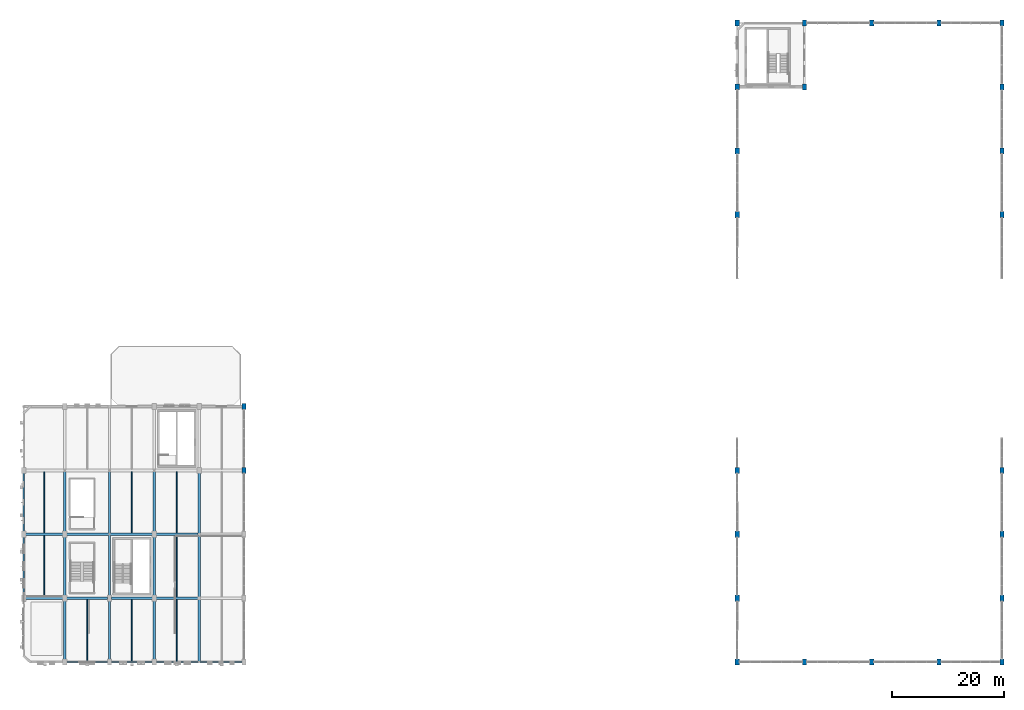
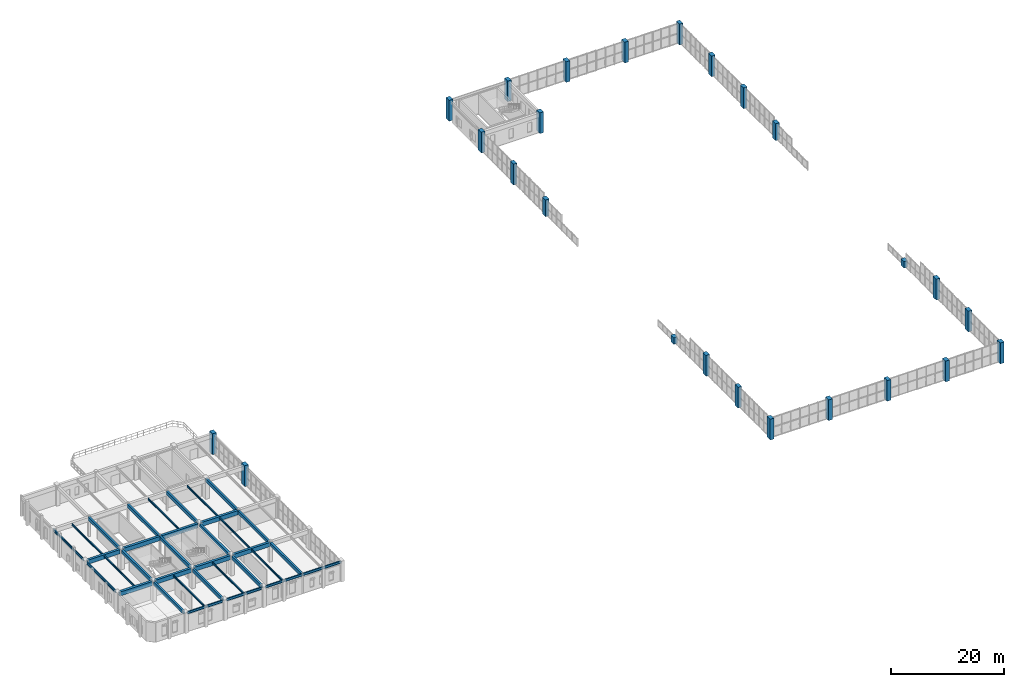
# One storey, part 5 of 48: 34 beams, 25 columns.
"""IFC4 building model written with IfcOpenShell, lengths in metres."""

import ifcopenshell
import ifcopenshell.guid

model = None  # the IFC model being written
_history = None  # IfcOwnerHistory: only IFC2X3 demands one
_inside = {}  # id of a spatial element -> (the spatial element, [elements in it])
_under = {}  # id of a project, library or spatial element -> (it, [spatial elements below it])
_declared = {}  # id of a project -> (the project, [libraries it declares])
_typed = {}  # id of a type object -> (the type object, [elements of that type])
_made_of = {}  # id of a material, layer set ... -> (it, [elements and type objects made of it])


def new_model(schema):
    """Start an empty IFC model of exactly this schema.

    Asked for "IFC4X3", IfcOpenShell would pick the latest addendum, in which some entities
    have other attributes; the version numbers below select the first issue.
    IFC2X3 requires an IfcOwnerHistory on every rooted entity: one is made here for all.
    """
    global model, _history
    if schema == "IFC4X3":
        model = ifcopenshell.file(schema_version=(4, 3, 0, 0))
    else:
        model = ifcopenshell.file(schema=schema)
    _inside.clear()
    _under.clear()
    _declared.clear()
    _typed.clear()
    _made_of.clear()
    _history = None
    if model.schema == "IFC2X3":
        org = make("IfcOrganization", Name="unknown")
        user = make(
            "IfcPersonAndOrganization",
            ThePerson=make("IfcPerson", FamilyName="unknown"),
            TheOrganization=org,
        )
        app = make(
            "IfcApplication",
            ApplicationDeveloper=org,
            Version="unknown",
            ApplicationFullName="unknown",
            ApplicationIdentifier="unknown",
        )
        _history = make(
            "IfcOwnerHistory",
            OwningUser=user,
            OwningApplication=app,
            ChangeAction="ADDED",
            CreationDate=0,
        )
    return model


def make(cls, **values):
    """One entity of the class cls with the attributes given. An attribute that is None is left unset."""
    return model.create_entity(
        cls, **{name: value for name, value in values.items() if value is not None}
    )


def rooted(cls, **values):
    """An entity with a GlobalId (a new one), such as an element, a storey or a relation."""
    return make(cls, GlobalId=ifcopenshell.guid.new(), OwnerHistory=_history, **values)


def si_unit(unit_type, name, prefix=None):
    """IfcSIUnit, for example si_unit("LENGTHUNIT", "METRE", prefix="MILLI")."""
    return make("IfcSIUnit", UnitType=unit_type, Prefix=prefix, Name=name)


def assignment(units):
    """IfcUnitAssignment: the units of a project."""
    return None if units is None else make("IfcUnitAssignment", Units=units)


def point(xyz):
    """IfcCartesianPoint."""
    return None if xyz is None else make("IfcCartesianPoint", Coordinates=xyz)


def direction(xyz):
    """IfcDirection."""
    return None if xyz is None else make("IfcDirection", DirectionRatios=xyz)


def frame(location, z_axis=None, x_axis=None):
    """IfcAxis2Placement3D, a coordinate frame: its origin and axes. An axis left out is left unset."""
    return make(
        "IfcAxis2Placement3D",
        Location=point(location),
        Axis=direction(z_axis),
        RefDirection=direction(x_axis),
    )


def frame_2d(location, x_axis=None):
    """IfcAxis2Placement2D, a coordinate frame in the plane: its origin and x axis."""
    return make(
        "IfcAxis2Placement2D", Location=point(location), RefDirection=direction(x_axis)
    )


def origin():
    """The frame at (0, 0, 0) with its axes left unset."""
    return frame((0.0, 0.0, 0.0))


def origin_2d():
    """The frame at (0, 0) in the plane with its x axis left unset."""
    return frame_2d((0.0, 0.0))


def place(relative_to, where):
    """IfcLocalPlacement: puts the frame where relative to a parent placement (None: the world)."""
    return make(
        "IfcLocalPlacement", PlacementRelTo=relative_to, RelativePlacement=where
    )


def context(
    kind, dimensions, precision=None, world=None, true_north=None, identifier=None
):
    """IfcGeometricRepresentationContext, for example the 3D "Model" context."""
    return make(
        "IfcGeometricRepresentationContext",
        ContextIdentifier=identifier,
        ContextType=kind,
        CoordinateSpaceDimension=dimensions,
        Precision=precision,
        WorldCoordinateSystem=world,
        TrueNorth=true_north,
    )


def subcontext(parent, identifier, kind, view, scale=None):
    """IfcGeometricRepresentationSubContext, for example "Body" below "Model"."""
    return make(
        "IfcGeometricRepresentationSubContext",
        ContextIdentifier=identifier,
        ContextType=kind,
        ParentContext=parent,
        TargetScale=scale,
        TargetView=view,
    )


def project(units=None, contexts=None):
    """IfcProject with its units and contexts."""
    return rooted(
        "IfcProject",
        Name="project",
        RepresentationContexts=contexts,
        UnitsInContext=assignment(units),
    )


def spatial(cls, under=None, at=None, **own):
    """A site, building, storey or space (cls), placed at a placement, below another one or the project."""
    s = rooted(cls, ObjectPlacement=at, **own)
    if under is not None:
        _under.setdefault(under.id(), (under, []))[1].append(s)
    return s


def profile(cls, at=None, kind="AREA", **sizes):
    """A parametric profile (cls). Its sizes go by their IFC names, for example OverallWidth=200.0."""
    return make(cls, ProfileType=kind, Position=at, **sizes)


def rectangle(**sizes):
    """IfcRectangleProfileDef."""
    return profile("IfcRectangleProfileDef", **sizes)


def i_section(**sizes):
    """IfcIShapeProfileDef."""
    return profile("IfcIShapeProfileDef", **sizes)


def extrude(swept, where, along, depth):
    """IfcExtrudedAreaSolid: the profile swept, set in the frame where, extruded along a direction by depth."""
    return make(
        "IfcExtrudedAreaSolid",
        SweptArea=swept,
        Position=where,
        ExtrudedDirection=direction(along),
        Depth=depth,
    )


def shape(context_of_items, identifier, shape_type, items):
    """IfcShapeRepresentation: the items that make up one representation, for example the "Body"."""
    return make(
        "IfcShapeRepresentation",
        ContextOfItems=context_of_items,
        RepresentationIdentifier=identifier,
        RepresentationType=shape_type,
        Items=items,
    )


def material(Name=None, Category=None):
    """IfcMaterial."""
    return make("IfcMaterial", Name=Name, Category=Category)


def material_profile(
    of_material, cross_section, Name=None, Category=None, Priority=None
):
    """IfcMaterialProfile: a cross section and its material."""
    return make(
        "IfcMaterialProfile",
        Name=Name,
        Material=of_material,
        Profile=cross_section,
        Priority=Priority,
        Category=Category,
    )


def profile_set(profiles, Name=None, composite=None):
    """IfcMaterialProfileSet."""
    return make(
        "IfcMaterialProfileSet",
        Name=Name,
        MaterialProfiles=profiles,
        CompositeProfile=composite,
    )


def made_of(thing, what):
    """Note that an element or type object is made of a material, layer set ...; save() writes the relation."""
    if what is not None:
        _made_of.setdefault(what.id(), (what, []))[1].append(thing)
    return thing


def type_object(cls, material=None, **own):
    """A type object (cls), such as IfcWallType, which elements share."""
    return made_of(rooted(cls, **own), material)


def element(
    cls,
    number,
    at=None,
    inside=None,
    cuts=None,
    type_object=None,
    material=None,
    context=None,
    identifier="Body",
    shape_type=None,
    held_by="IfcProductDefinitionShape",
    body=None,
    shapes=None,
    **own,
):
    """One element of the class cls, such as IfcWall. Its Tag is "e" and its number.

    at: its placement. inside: the storey or other place that contains it. cuts: it is an
    opening in that element (IfcRelVoidsElement). A single representation is given by context,
    identifier, shape_type and body (its items); several are given by shapes. held_by: the class
    of the entity that holds the representations. save() writes the other relations.
    """
    e = rooted(cls, Tag="e%d" % number, ObjectPlacement=at, **own)
    if body is not None:
        shapes = [shape(context, identifier, shape_type, body)]
    if shapes is not None:
        e.Representation = make(held_by, Representations=shapes)
    if inside is not None:
        _inside.setdefault(inside.id(), (inside, []))[1].append(e)
    if cuts is not None:
        rooted(
            "IfcRelVoidsElement", RelatingBuildingElement=cuts, RelatedOpeningElement=e
        )
    if type_object is not None:
        _typed.setdefault(type_object.id(), (type_object, []))[1].append(e)
    return made_of(e, material)


def aggregate(whole, parts):
    """IfcRelAggregates: a whole, such as a stair, and the parts it consists of."""
    return rooted("IfcRelAggregates", RelatingObject=whole, RelatedObjects=parts)


def save(model, path):
    """Write the relations noted so far, then the file.

    IfcRelAggregates (storeys below a building ...), IfcRelContainedInSpatialStructure (elements
    in a storey), IfcRelDefinesByType, IfcRelAssociatesMaterial and IfcRelDeclares: one each for
    every whole, place, type object, material and project.
    """
    for whole, parts in _under.values():
        aggregate(whole, parts)
    for where, things in _inside.values():
        rooted(
            "IfcRelContainedInSpatialStructure",
            RelatedElements=things,
            RelatingStructure=where,
        )
    for kind, things in _typed.values():
        rooted("IfcRelDefinesByType", RelatedObjects=things, RelatingType=kind)
    for what, things in _made_of.values():
        rooted("IfcRelAssociatesMaterial", RelatedObjects=things, RelatingMaterial=what)
    for by, libraries in _declared.values():
        rooted("IfcRelDeclares", RelatingContext=by, RelatedDefinitions=libraries)
    model.write(path)


model = new_model("IFC4")

# Units and contexts
model_context = context("Model", 3, precision=1e-05, world=origin(), true_north=direction((0.0, 1.0)))
body_context = subcontext(model_context, "Body", "Model", "MODEL_VIEW")
ifc_project = project(units=[si_unit("LENGTHUNIT", "METRE"), si_unit("AREAUNIT", "SQUARE_METRE"), si_unit("VOLUMEUNIT", "CUBIC_METRE"), si_unit("PLANEANGLEUNIT", "RADIAN"), si_unit("MASSUNIT", "GRAM", prefix="KILO"), si_unit("POWERUNIT", "WATT"), si_unit("THERMODYNAMICTEMPERATUREUNIT", "KELVIN")], contexts=[model_context])

# Site, building, storey
site_placement = place(None, origin())
site = spatial("IfcSite", under=ifc_project, at=site_placement, CompositionType="ELEMENT")
building_placement = place(site_placement, origin())
building = spatial("IfcBuilding", under=site, at=building_placement, Name="Kelmbourne Parkland Aquatics Centre", CompositionType="ELEMENT")
storey_placement = place(building_placement, frame((0.0, 0.0, 14.699951171875)))
storey = spatial("IfcBuildingStorey", under=building, at=storey_placement, Name="L03", CompositionType="ELEMENT", Elevation=14.699951171875)

# Columns
ifc_material_1 = material(Name="Concrete C40/50", Category="concrete")
ifc_material_profile_1 = material_profile(ifc_material_1, rectangle(XDim=0.75, YDim=1.10009765625, at=origin_2d()), Name="RC 750x1100")
ifc_profile_set_1 = profile_set([ifc_material_profile_1], Name="Concrete C40/50")
column_type = type_object("IfcColumnType", Name="COL-C03", PredefinedType="COLUMN", material=ifc_profile_set_1)
for number, where, z_axis, x_axis, name in (
    (1, (40.0, 35.0, 0.0), (0.0, 0.0, 1.0), (1.0, 0.0, 0.0), "Structural column F-05 (L03)"),
    (2, (40.0, 46.39990234375, 0.0), (0.0, 0.0, 1.0), (1.0, 0.0, 0.0), "Structural column F-06 (L03)"),
    (3, (128.0, 0.800048828125, 0.0), (0.0, 0.0, 1.0), (1.0, 0.0, 0.0), "Structural column P-01 (L03)"),
    (4, (128.0, 12.199951171875, 0.0), (0.0, 0.0, 1.0), (1.0, 0.0, 0.0), "Structural column P-03 (L03)"),
    (5, (128.0, 23.60009765625, 0.0), (0.0, 0.0, 1.0), (1.0, 0.0, 0.0), "Structural column P-04 (L03)"),
):
    element("IfcColumn", number, at=place(storey_placement, frame(where, z_axis=z_axis, x_axis=x_axis)), inside=storey, type_object=column_type, Name=name, PredefinedType="COLUMN", context=body_context, shape_type="SweptSolid", body=[
        extrude(rectangle(XDim=0.75, YDim=1.10009765625, at=origin_2d()), origin(), (0.0, 0.0, 1.0), 4.5),
    ])
column_1_placement = place(storey_placement, frame((128.0, 35.0, 0.0), z_axis=(0.0, 0.0, 1.0), x_axis=(1.0, 0.0, 0.0)))
element("IfcColumn", 6, at=column_1_placement, inside=storey, type_object=column_type, Name="Structural column P-05 (L03)", PredefinedType="COLUMN", context=body_context, shape_type="SweptSolid", body=[
    extrude(rectangle(XDim=0.75, YDim=1.10009765625, at=origin_2d()), origin(), (0.0, 0.0, 1.0), 1.4033203125),
])
column_2_placement = place(storey_placement, frame((128.0, 80.60009765625, 0.0), z_axis=(0.0, 0.0, 1.0), x_axis=(1.0, 0.0, 0.0)))
element("IfcColumn", 7, at=column_2_placement, inside=storey, type_object=column_type, Name="Structural column P-11 (L03)", PredefinedType="COLUMN", context=body_context, shape_type="SweptSolid", body=[
    extrude(rectangle(XDim=0.75, YDim=1.10009765625, at=origin_2d()), origin(), (0.0, 0.0, 1.0), 3.6650390625),
])
for number, where, z_axis, x_axis, name in (
    (8, (128.0, 92.0, 0.0), (0.0, 0.0, 1.0), (1.0, 0.0, 0.0), "Structural column P-12 (L03)"),
    (9, (128.0, 103.39990234375, 0.0), (0.0, 0.0, 1.0), (1.0, 0.0, 0.0), "Structural column P-13 (L03)"),
    (10, (128.0, 114.800048828125, 0.0), (0.0, 0.0, 1.0), (1.0, 0.0, 0.0), "Structural column P-14 (L03)"),
    (11, (140.0, 0.800048828125, 0.0), (0.0, 0.0, 1.0), (1.0, 0.0, 0.0), "Structural column Q-01 (L03)"),
    (12, (140.0, 103.39990234375, 0.0), (0.0, 0.0, 1.0), (1.0, 0.0, 0.0), "Structural column Q-13 (L03)"),
    (13, (140.0, 114.800048828125, 0.0), (0.0, 0.0, 1.0), (1.0, 0.0, 0.0), "Structural column Q-14 (L03)"),
    (14, (152.0, 0.800048828125, 0.0), (0.0, 0.0, 1.0), (1.0, 0.0, 0.0), "Structural column R-01 (L03)"),
    (15, (152.0, 114.800048828125, 0.0), (0.0, 0.0, 1.0), (1.0, 0.0, 0.0), "Structural column R-14 (L03)"),
    (16, (164.0, 0.800048828125, 0.0), (0.0, 0.0, 1.0), (1.0, 0.0, 0.0), "Structural column S-01 (L03)"),
    (17, (164.0, 114.800048828125, 0.0), (0.0, 0.0, 1.0), (1.0, 0.0, 0.0), "Structural column S-14 (L03)"),
    (18, (175.199951171875, 0.800048828125, 0.0), (0.0, 0.0, 1.0), (1.0, 0.0, 0.0), "Structural column T-01 (L03)"),
    (19, (175.199951171875, 12.199951171875, 0.0), (0.0, 0.0, 1.0), (1.0, 0.0, 0.0), "Structural column T-03 (L03)"),
    (20, (175.199951171875, 23.60009765625, 0.0), (0.0, 0.0, 1.0), (1.0, 0.0, 0.0), "Structural column T-04 (L03)"),
):
    element("IfcColumn", number, at=place(storey_placement, frame(where, z_axis=z_axis, x_axis=x_axis)), inside=storey, type_object=column_type, Name=name, PredefinedType="COLUMN", context=body_context, shape_type="SweptSolid", body=[
        extrude(rectangle(XDim=0.75, YDim=1.10009765625, at=origin_2d()), origin(), (0.0, 0.0, 1.0), 4.5),
    ])
column_3_placement = place(storey_placement, frame((175.199951171875, 35.0, 0.0), z_axis=(0.0, 0.0, 1.0), x_axis=(1.0, 0.0, 0.0)))
element("IfcColumn", 21, at=column_3_placement, inside=storey, type_object=column_type, Name="Structural column T-05 (L03)", PredefinedType="COLUMN", context=body_context, shape_type="SweptSolid", body=[
    extrude(rectangle(XDim=0.75, YDim=1.10009765625, at=origin_2d()), origin(), (0.0, 0.0, 1.0), 1.4033203125),
])
column_4_placement = place(storey_placement, frame((175.199951171875, 80.60009765625, 0.0), z_axis=(0.0, 0.0, 1.0), x_axis=(1.0, 0.0, 0.0)))
element("IfcColumn", 22, at=column_4_placement, inside=storey, type_object=column_type, Name="Structural column T-11 (L03)", PredefinedType="COLUMN", context=body_context, shape_type="SweptSolid", body=[
    extrude(rectangle(XDim=0.75, YDim=1.10009765625, at=origin_2d()), origin(), (0.0, 0.0, 1.0), 3.6650390625),
])
for number, where, z_axis, x_axis, name in (
    (23, (175.199951171875, 92.0, 0.0), (0.0, 0.0, 1.0), (1.0, 0.0, 0.0), "Structural column T-12 (L03)"),
    (24, (175.199951171875, 103.39990234375, 0.0), (0.0, 0.0, 1.0), (1.0, 0.0, 0.0), "Structural column T-13 (L03)"),
    (25, (175.199951171875, 114.800048828125, 0.0), (0.0, 0.0, 1.0), (1.0, 0.0, 0.0), "Structural column T-14 (L03)"),
):
    element("IfcColumn", number, at=place(storey_placement, frame(where, z_axis=z_axis, x_axis=x_axis)), inside=storey, type_object=column_type, Name=name, PredefinedType="COLUMN", context=body_context, shape_type="SweptSolid", body=[
        extrude(rectangle(XDim=0.75, YDim=1.10009765625, at=origin_2d()), origin(), (0.0, 0.0, 1.0), 4.5),
    ])

# Beams
ifc_material_profile_2 = material_profile(ifc_material_1, rectangle(XDim=0.5, YDim=0.89990234375, at=origin_2d()), Name="RC 500x900")
ifc_profile_set_2 = profile_set([ifc_material_profile_2], Name="Concrete C40/50")
beam_type_1 = type_object("IfcBeamType", Name="BM-G03", PredefinedType="BEAM", material=ifc_profile_set_2)
beam_1_placement = place(storey_placement, frame((1.030029296875, 12.199951171875, 3.81005859375), z_axis=(1.0, 0.0, 0.0), x_axis=(0.0, 1.0, 0.0)))
element("IfcBeam", 26, at=beam_1_placement, inside=storey, type_object=beam_type_1, Name="Primary girder A-B Grid 03 (L04)", PredefinedType="BEAM", context=body_context, shape_type="SweptSolid", body=[
    extrude(rectangle(XDim=0.5, YDim=0.89990234375, at=origin_2d()), origin(), (0.0, 0.0, 1.0), 6.639892578125),
])
for number, where, z_axis, x_axis, name in (
    (27, (8.330078125, 12.199951171875, 3.81005859375), (1.0, 0.0, 0.0), (0.0, 1.0, 0.0), "Primary girder B-C Grid 03 (L04)"),
    (28, (16.330078125, 12.199951171875, 3.81005859375), (1.0, 0.0, 0.0), (0.0, 1.0, 0.0), "Primary girder C-D Grid 03 (L04)"),
):
    element("IfcBeam", number, at=place(storey_placement, frame(where, z_axis=z_axis, x_axis=x_axis)), inside=storey, type_object=beam_type_1, Name=name, PredefinedType="BEAM", context=body_context, shape_type="SweptSolid", body=[
        extrude(rectangle(XDim=0.5, YDim=0.89990234375, at=origin_2d()), origin(), (0.0, 0.0, 1.0), 7.33984375),
    ])
beam_2_placement = place(storey_placement, frame((24.330078125, 12.199951171875, 3.81005859375), z_axis=(1.0, 0.0, 0.0), x_axis=(0.0, 1.0, 0.0)))
element("IfcBeam", 29, at=beam_2_placement, inside=storey, type_object=beam_type_1, Name="Primary girder D-E Grid 03 (L04)", PredefinedType="BEAM", context=body_context, shape_type="SweptSolid", body=[
    extrude(rectangle(XDim=0.5, YDim=0.89990234375, at=origin_2d()), origin(), (0.0, 0.0, 1.0), 7.43994140625),
])
beam_3_placement = place(storey_placement, frame((1.030029296875, 23.60009765625, 3.81005859375), z_axis=(1.0, 0.0, 0.0), x_axis=(0.0, 1.0, 0.0)))
element("IfcBeam", 30, at=beam_3_placement, inside=storey, type_object=beam_type_1, Name="Primary girder A-B Grid 04 (L04)", PredefinedType="BEAM", context=body_context, shape_type="SweptSolid", body=[
    extrude(rectangle(XDim=0.5, YDim=0.89990234375, at=origin_2d()), origin(), (0.0, 0.0, 1.0), 6.639892578125),
])
for number, where, z_axis, x_axis, name in (
    (31, (8.330078125, 23.60009765625, 3.81005859375), (1.0, 0.0, 0.0), (0.0, 1.0, 0.0), "Primary girder B-C Grid 04 (L04)"),
    (32, (16.10498046875, 23.60009765625, 3.81005859375), (1.0, 0.0, 0.0), (0.0, 1.0, 0.0), "Primary girder C-D Grid 04 (L04)"),
):
    element("IfcBeam", number, at=place(storey_placement, frame(where, z_axis=z_axis, x_axis=x_axis)), inside=storey, type_object=beam_type_1, Name=name, PredefinedType="BEAM", context=body_context, shape_type="SweptSolid", body=[
        extrude(rectangle(XDim=0.5, YDim=0.89990234375, at=origin_2d()), origin(), (0.0, 0.0, 1.0), 7.56494140625),
    ])
beam_4_placement = place(storey_placement, frame((24.330078125, 23.60009765625, 3.81005859375), z_axis=(1.0, 0.0, 0.0), x_axis=(0.0, 1.0, 0.0)))
element("IfcBeam", 33, at=beam_4_placement, inside=storey, type_object=beam_type_1, Name="Primary girder D-E Grid 04 (L04)", PredefinedType="BEAM", context=body_context, shape_type="SweptSolid", body=[
    extrude(rectangle(XDim=0.5, YDim=0.89990234375, at=origin_2d()), origin(), (0.0, 0.0, 1.0), 7.489990234375),
])
ifc_material_profile_3 = material_profile(ifc_material_1, rectangle(XDim=0.39990234375, YDim=0.699951171875, at=origin_2d()), Name="RC 400x700")
ifc_profile_set_3 = profile_set([ifc_material_profile_3], Name="Concrete C40/50")
beam_type_2 = type_object("IfcBeamType", Name="BM-G05", PredefinedType="BEAM", material=ifc_profile_set_3)
beam_5_placement = place(storey_placement, frame((8.0, 1.304931640625, 3.91015625), z_axis=(0.0, 1.0, 0.0), x_axis=(-1.0, 0.0, 0.0)))
element("IfcBeam", 34, at=beam_5_placement, inside=storey, type_object=beam_type_2, Name="Primary girder 01-03 Grid B (L04)", PredefinedType="BEAM", context=body_context, shape_type="SweptSolid", body=[
    extrude(rectangle(XDim=0.39990234375, YDim=0.699951171875, at=origin_2d()), origin(), (0.0, 0.0, 1.0), 10.39013671875),
])
beam_6_placement = place(storey_placement, frame((8.0, 12.705078125, 3.91015625), z_axis=(0.0, 1.0, 0.0), x_axis=(-1.0, 0.0, 0.0)))
element("IfcBeam", 35, at=beam_6_placement, inside=storey, type_object=beam_type_2, Name="Primary girder 03-04 Grid B (L04)", PredefinedType="BEAM", context=body_context, shape_type="SweptSolid", body=[
    extrude(rectangle(XDim=0.39990234375, YDim=0.699951171875, at=origin_2d()), origin(), (0.0, 0.0, 1.0), 10.389892578125),
])
beam_7_placement = place(storey_placement, frame((8.0, 24.10498046875, 3.91015625), z_axis=(0.0, 1.0, 0.0), x_axis=(-1.0, 0.0, 0.0)))
element("IfcBeam", 36, at=beam_7_placement, inside=storey, type_object=beam_type_2, Name="Primary girder 04-05 Grid B (L04)", PredefinedType="BEAM", context=body_context, shape_type="SweptSolid", body=[
    extrude(rectangle(XDim=0.39990234375, YDim=0.699951171875, at=origin_2d()), origin(), (0.0, 0.0, 1.0), 10.89501953125),
])
beam_8_placement = place(storey_placement, frame((16.0, 1.304931640625, 3.91015625), z_axis=(0.0, 1.0, 0.0), x_axis=(-1.0, 0.0, 0.0)))
element("IfcBeam", 37, at=beam_8_placement, inside=storey, type_object=beam_type_2, Name="Primary girder 01-03 Grid C (L04)", PredefinedType="BEAM", context=body_context, shape_type="SweptSolid", body=[
    extrude(rectangle(XDim=0.39990234375, YDim=0.699951171875, at=origin_2d()), origin(), (0.0, 0.0, 1.0), 10.39013671875),
])
beam_9_placement = place(storey_placement, frame((16.0, 12.705078125, 3.91015625), z_axis=(0.0, 1.0, 0.0), x_axis=(-1.0, 0.0, 0.0)))
element("IfcBeam", 38, at=beam_9_placement, inside=storey, type_object=beam_type_2, Name="Primary girder 03-04 Grid C (L04)", PredefinedType="BEAM", context=body_context, shape_type="SweptSolid", body=[
    extrude(rectangle(XDim=0.39990234375, YDim=0.699951171875, at=origin_2d()), origin(), (0.0, 0.0, 1.0), 10.7900390625),
])
beam_10_placement = place(storey_placement, frame((16.0, 23.705078125, 3.91015625), z_axis=(0.0, 1.0, 0.0), x_axis=(-1.0, 0.0, 0.0)))
element("IfcBeam", 39, at=beam_10_placement, inside=storey, type_object=beam_type_2, Name="Primary girder 04-05 Grid C (L04)", PredefinedType="BEAM", context=body_context, shape_type="SweptSolid", body=[
    extrude(rectangle(XDim=0.39990234375, YDim=0.699951171875, at=origin_2d()), origin(), (0.0, 0.0, 1.0), 11.294921875),
])
beam_11_placement = place(storey_placement, frame((24.0, 1.304931640625, 3.91015625), z_axis=(0.0, 1.0, 0.0), x_axis=(-1.0, 0.0, 0.0)))
element("IfcBeam", 40, at=beam_11_placement, inside=storey, type_object=beam_type_2, Name="Primary girder 01-03 Grid D (L04)", PredefinedType="BEAM", context=body_context, shape_type="SweptSolid", body=[
    extrude(rectangle(XDim=0.39990234375, YDim=0.699951171875, at=origin_2d()), origin(), (0.0, 0.0, 1.0), 10.39013671875),
])
beam_12_placement = place(storey_placement, frame((24.0, 12.705078125, 3.91015625), z_axis=(0.0, 1.0, 0.0), x_axis=(-1.0, 0.0, 0.0)))
element("IfcBeam", 41, at=beam_12_placement, inside=storey, type_object=beam_type_2, Name="Primary girder 03-04 Grid D (L04)", PredefinedType="BEAM", context=body_context, shape_type="SweptSolid", body=[
    extrude(rectangle(XDim=0.39990234375, YDim=0.699951171875, at=origin_2d()), origin(), (0.0, 0.0, 1.0), 10.389892578125),
])
beam_13_placement = place(storey_placement, frame((24.0, 24.10498046875, 3.91015625), z_axis=(0.0, 1.0, 0.0), x_axis=(-1.0, 0.0, 0.0)))
element("IfcBeam", 42, at=beam_13_placement, inside=storey, type_object=beam_type_2, Name="Primary girder 04-05 Grid D (L04)", PredefinedType="BEAM", context=body_context, shape_type="SweptSolid", body=[
    extrude(rectangle(XDim=0.39990234375, YDim=0.699951171875, at=origin_2d()), origin(), (0.0, 0.0, 1.0), 10.89501953125),
])
beam_14_placement = place(storey_placement, frame((32.0, 0.8798828125, 3.91015625), z_axis=(0.0, 1.0, 0.0), x_axis=(-1.0, 0.0, 0.0)))
element("IfcBeam", 43, at=beam_14_placement, inside=storey, type_object=beam_type_2, Name="Primary girder 01-03 Grid E (L04)", PredefinedType="BEAM", context=body_context, shape_type="SweptSolid", body=[
    extrude(rectangle(XDim=0.39990234375, YDim=0.699951171875, at=origin_2d()), origin(), (0.0, 0.0, 1.0), 11.090087890625),
])
beam_15_placement = place(storey_placement, frame((32.0, 12.429931640625, 3.91015625), z_axis=(0.0, 1.0, 0.0), x_axis=(-1.0, 0.0, 0.0)))
element("IfcBeam", 44, at=beam_15_placement, inside=storey, type_object=beam_type_2, Name="Primary girder 03-04 Grid E (L04)", PredefinedType="BEAM", context=body_context, shape_type="SweptSolid", body=[
    extrude(rectangle(XDim=0.39990234375, YDim=0.699951171875, at=origin_2d()), origin(), (0.0, 0.0, 1.0), 10.989990234375),
])
beam_16_placement = place(storey_placement, frame((32.0, 23.780029296875, 3.91015625), z_axis=(0.0, 1.0, 0.0), x_axis=(-1.0, 0.0, 0.0)))
element("IfcBeam", 45, at=beam_16_placement, inside=storey, type_object=beam_type_2, Name="Primary girder 04-05 Grid E (L04)", PredefinedType="BEAM", context=body_context, shape_type="SweptSolid", body=[
    extrude(rectangle(XDim=0.39990234375, YDim=0.699951171875, at=origin_2d()), origin(), (0.0, 0.0, 1.0), 11.219970703125),
])
ifc_material_2 = material(Name="Structural steel AS/NZS 3679.1 Grade 300", Category="steel")
ifc_material_profile_4 = material_profile(ifc_material_2, i_section(OverallWidth=0.177978515625, OverallDepth=0.406005859375, WebThickness=0.0078125, FlangeThickness=0.0126953125, at=origin_2d()), Name="410UB59.7")
ifc_profile_set_4 = profile_set([ifc_material_profile_4], Name="Structural steel AS/NZS 3679.1 Grade 300")
beam_type_3 = type_object("IfcBeamType", Name="BM-J01", PredefinedType="JOIST", material=ifc_profile_set_4)
for number, where, z_axis, x_axis, name in (
    (46, (4.35009765625, 12.44189453125, 4.05712890625), (0.0, 1.0, 0.0), (-1.0, 0.0, 0.0), "Secondary floor joist A-B/03-04 #1 (L04)"),
    (47, (4.35009765625, 23.842041015625, 4.05712890625), (0.0, 1.0, 0.0), (-1.0, 0.0, 0.0), "Secondary floor joist A-B/04-05 #1 (L04)"),
):
    element("IfcBeam", number, at=place(storey_placement, frame(where, z_axis=z_axis, x_axis=x_axis)), inside=storey, type_object=beam_type_3, Name=name, PredefinedType="JOIST", context=body_context, shape_type="SweptSolid", body=[
        extrude(i_section(OverallWidth=0.177978515625, OverallDepth=0.406005859375, WebThickness=0.0078125, FlangeThickness=0.0126953125, at=origin_2d()), origin(), (0.0, 0.0, 1.0), 10.916015625),
    ])
for number, where, z_axis, x_axis, name in (
    (48, (12.0, 0.896484375, 4.05712890625), (0.0, 1.0, 0.0), (-1.0, 0.0, 0.0), "Secondary floor joist B-C/01-03 #1 (L04)"),
    (49, (20.0, 0.896484375, 4.05712890625), (0.0, 1.0, 0.0), (-1.0, 0.0, 0.0), "Secondary floor joist C-D/01-03 #1 (L04)"),
):
    element("IfcBeam", number, at=place(storey_placement, frame(where, z_axis=z_axis, x_axis=x_axis)), inside=storey, type_object=beam_type_3, Name=name, PredefinedType="JOIST", context=body_context, shape_type="SweptSolid", body=[
        extrude(i_section(OverallWidth=0.177978515625, OverallDepth=0.406005859375, WebThickness=0.0078125, FlangeThickness=0.0126953125, at=origin_2d()), origin(), (0.0, 0.0, 1.0), 11.0615234375),
    ])
beam_17_placement = place(storey_placement, frame((20.0, 23.842041015625, 4.05712890625), z_axis=(0.0, 1.0, 0.0), x_axis=(-1.0, 0.0, 0.0)))
element("IfcBeam", 50, at=beam_17_placement, inside=storey, type_object=beam_type_3, Name="Secondary floor joist C-D/04-05 #1 (L04)", PredefinedType="JOIST", context=body_context, shape_type="SweptSolid", body=[
    extrude(i_section(OverallWidth=0.177978515625, OverallDepth=0.406005859375, WebThickness=0.0078125, FlangeThickness=0.0126953125, at=origin_2d()), origin(), (0.0, 0.0, 1.0), 10.916015625),
])
beam_18_placement = place(storey_placement, frame((28.0, 0.896484375, 4.05712890625), z_axis=(0.0, 1.0, 0.0), x_axis=(-1.0, 0.0, 0.0)))
element("IfcBeam", 51, at=beam_18_placement, inside=storey, type_object=beam_type_3, Name="Secondary floor joist D-E/01-03 #1 (L04)", PredefinedType="JOIST", context=body_context, shape_type="SweptSolid", body=[
    extrude(i_section(OverallWidth=0.177978515625, OverallDepth=0.406005859375, WebThickness=0.0078125, FlangeThickness=0.0126953125, at=origin_2d()), origin(), (0.0, 0.0, 1.0), 11.0615234375),
])
for number, where, z_axis, x_axis, name in (
    (52, (28.0, 12.44189453125, 4.05712890625), (0.0, 1.0, 0.0), (-1.0, 0.0, 0.0), "Secondary floor joist D-E/03-04 #1 (L04)"),
    (53, (28.0, 23.842041015625, 4.05712890625), (0.0, 1.0, 0.0), (-1.0, 0.0, 0.0), "Secondary floor joist D-E/04-05 #1 (L04)"),
):
    element("IfcBeam", number, at=place(storey_placement, frame(where, z_axis=z_axis, x_axis=x_axis)), inside=storey, type_object=beam_type_3, Name=name, PredefinedType="JOIST", context=body_context, shape_type="SweptSolid", body=[
        extrude(i_section(OverallWidth=0.177978515625, OverallDepth=0.406005859375, WebThickness=0.0078125, FlangeThickness=0.0126953125, at=origin_2d()), origin(), (0.0, 0.0, 1.0), 10.916015625),
    ])
ifc_material_profile_5 = material_profile(ifc_material_2, i_section(OverallWidth=0.208984375, OverallDepth=0.532958984375, WebThickness=0.01025390625, FlangeThickness=0.015625, at=origin_2d()), Name="530UB92.4")
ifc_profile_set_5 = profile_set([ifc_material_profile_5], Name="Structural steel AS/NZS 3679.1 Grade 300")
beam_type_4 = type_object("IfcBeamType", Name="BM-SP02", PredefinedType="SPANDREL", material=ifc_profile_set_5)
for number, where, z_axis, x_axis, name in (
    (54, (8.330078125, 0.800048828125, 3.99365234375), (1.0, 0.0, 0.0), (0.0, 1.0, 0.0), "Perimeter spandrel B-C Grid 01 (L04)"),
    (55, (16.330078125, 0.800048828125, 3.99365234375), (1.0, 0.0, 0.0), (0.0, 1.0, 0.0), "Perimeter spandrel C-D Grid 01 (L04)"),
):
    element("IfcBeam", number, at=place(storey_placement, frame(where, z_axis=z_axis, x_axis=x_axis)), inside=storey, type_object=beam_type_4, Name=name, PredefinedType="SPANDREL", context=body_context, shape_type="SweptSolid", body=[
        extrude(i_section(OverallWidth=0.208984375, OverallDepth=0.532958984375, WebThickness=0.01025390625, FlangeThickness=0.015625, at=origin_2d()), origin(), (0.0, 0.0, 1.0), 7.33984375),
    ])
beam_19_placement = place(storey_placement, frame((24.330078125, 0.800048828125, 3.99365234375), z_axis=(1.0, 0.0, 0.0), x_axis=(0.0, 1.0, 0.0)))
element("IfcBeam", 56, at=beam_19_placement, inside=storey, type_object=beam_type_4, Name="Perimeter spandrel D-E Grid 01 (L04)", PredefinedType="SPANDREL", context=body_context, shape_type="SweptSolid", body=[
    extrude(i_section(OverallWidth=0.208984375, OverallDepth=0.532958984375, WebThickness=0.01025390625, FlangeThickness=0.015625, at=origin_2d()), origin(), (0.0, 0.0, 1.0), 7.58984375),
])
beam_20_placement = place(storey_placement, frame((32.080078125, 0.800048828125, 3.99365234375), z_axis=(1.0, 0.0, 0.0), x_axis=(0.0, 1.0, 0.0)))
element("IfcBeam", 57, at=beam_20_placement, inside=storey, type_object=beam_type_4, Name="Perimeter spandrel E-F Grid 01 (L04)", PredefinedType="SPANDREL", context=body_context, shape_type="SweptSolid", body=[
    extrude(i_section(OverallWidth=0.208984375, OverallDepth=0.532958984375, WebThickness=0.01025390625, FlangeThickness=0.015625, at=origin_2d()), origin(), (0.0, 0.0, 1.0), 7.919921875),
])
beam_21_placement = place(storey_placement, frame((0.699951171875, 12.705078125, 3.99365234375), z_axis=(0.0, 1.0, 0.0), x_axis=(-1.0, 0.0, 0.0)))
element("IfcBeam", 58, at=beam_21_placement, inside=storey, type_object=beam_type_4, Name="Perimeter spandrel 03-04 Grid A (L04)", PredefinedType="SPANDREL", context=body_context, shape_type="SweptSolid", body=[
    extrude(i_section(OverallWidth=0.208984375, OverallDepth=0.532958984375, WebThickness=0.01025390625, FlangeThickness=0.015625, at=origin_2d()), origin(), (0.0, 0.0, 1.0), 10.389892578125),
])
beam_22_placement = place(storey_placement, frame((0.699951171875, 24.10498046875, 3.99365234375), z_axis=(0.0, 1.0, 0.0), x_axis=(-1.0, 0.0, 0.0)))
element("IfcBeam", 59, at=beam_22_placement, inside=storey, type_object=beam_type_4, Name="Perimeter spandrel 04-05 Grid A (L04)", PredefinedType="SPANDREL", context=body_context, shape_type="SweptSolid", body=[
    extrude(i_section(OverallWidth=0.208984375, OverallDepth=0.532958984375, WebThickness=0.01025390625, FlangeThickness=0.015625, at=origin_2d()), origin(), (0.0, 0.0, 1.0), 10.89501953125),
])

save(model, "model.ifc")
